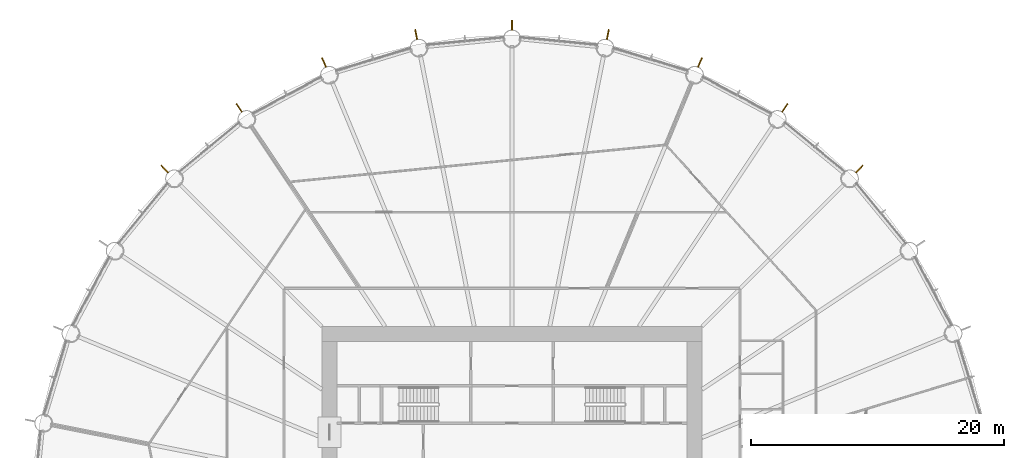
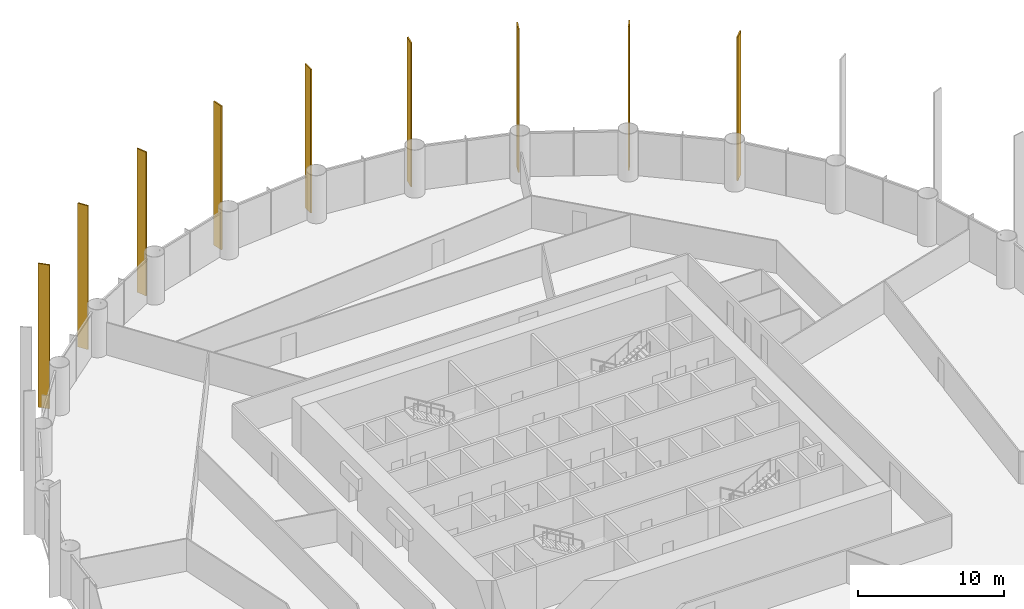
# One storey, part 14 of 14: 9 shading devices.
"""IFC4 building model written with IfcOpenShell, lengths in metres."""

from ifc_helpers import new_model, si_unit, direction, frame, origin, origin_2d, place, context, subcontext, project, spatial, rectangle, extrude, material, material_profile, profile_set, type_object, element, save


model = new_model("IFC4")

# Units and contexts
model_context = context("Model", 3, precision=1e-05, world=origin(), true_north=direction((0.0, 1.0)))
body_context = subcontext(model_context, "Body", "Model", "MODEL_VIEW")
ifc_project = project(units=[si_unit("LENGTHUNIT", "METRE"), si_unit("AREAUNIT", "SQUARE_METRE"), si_unit("VOLUMEUNIT", "CUBIC_METRE"), si_unit("PLANEANGLEUNIT", "RADIAN"), si_unit("MASSUNIT", "GRAM", prefix="KILO")], contexts=[model_context])

# Site, building, storey
site_placement = place(None, origin())
site = spatial("IfcSite", under=ifc_project, at=site_placement, CompositionType="ELEMENT")
building_placement = place(site_placement, origin())
building = spatial("IfcBuilding", under=site, at=building_placement, Name="Corvane Civic Tower", CompositionType="ELEMENT")
storey_placement = place(building_placement, frame((0.0, 0.0, 53.0)))
storey = spatial("IfcBuildingStorey", under=building, at=storey_placement, Name="L11", CompositionType="ELEMENT", Elevation=53.0)

# Shading devices
ifc_material = material(Name="Anodised aluminium bronze", Category="aluminium")
ifc_material_profile = material_profile(ifc_material, rectangle(XDim=0.10009765625, YDim=0.800048828125, at=origin_2d()), Name="TOWER FIN STACK 100x800 BRONZE")
ifc_profile_set = profile_set([ifc_material_profile], Name="Anodised aluminium bronze")
shading_device_type = type_object("IfcShadingDeviceType", Name="TOWER FIN STACK 100x800 BRONZE", PredefinedType="USERDEFINED", material=ifc_profile_set)
for number, where, z_axis, x_axis, name in (
    (1, (0.0, 38.780029296875, 0.0), (0.0, 0.0, 1.0), (1.0, 0.0, 0.0), "Fin 01 L11 to L13"),
    (2, (7.565673828125, 38.034912109375, 0.0), (0.0, 0.0, 1.0), (0.980785280403, -0.195090322016, 0.0), "Fin 02 L11 to L13"),
    (3, (14.840576171875, 35.828125, 0.0), (0.0, 0.0, 1.0), (0.923879532511, -0.382683432365, 0.0), "Fin 03 L11 to L13"),
    (4, (21.544921875, 32.244384765625, 0.0), (0.0, 0.0, 1.0), (0.831469612303, -0.55557023302, 0.0), "Fin 04 L11 to L13"),
    (5, (27.421630859375, 27.421630859375, 0.0), (0.0, 0.0, 1.0), (0.707106781187, -0.707106781187, 0.0), "Fin 05 L11 to L13"),
    (6, (-27.421630859375, 27.421630859375, 0.0), (0.0, 0.0, 1.0), (0.707106781187, 0.707106781187, 0.0), "Fin 29 L11 to L13"),
    (7, (-21.544921875, 32.244384765625, 0.0), (0.0, 0.0, 1.0), (0.831469612303, 0.55557023302, 0.0), "Fin 30 L11 to L13"),
    (8, (-14.840576171875, 35.828125, 0.0), (0.0, 0.0, 1.0), (0.923879532511, 0.382683432365, 0.0), "Fin 31 L11 to L13"),
    (9, (-7.565673828125, 38.034912109375, 0.0), (0.0, 0.0, 1.0), (0.980785280403, 0.195090322016, 0.0), "Fin 32 L11 to L13"),
):
    element("IfcShadingDevice", number, at=place(storey_placement, frame(where, z_axis=z_axis, x_axis=x_axis)), inside=storey, type_object=shading_device_type, Name=name, ObjectType="FIN", PredefinedType="USERDEFINED", context=body_context, shape_type="SweptSolid", body=[
        extrude(rectangle(XDim=0.10009765625, YDim=0.800048828125, at=origin_2d()), origin(), (0.0, 0.0, 1.0), 12.0),
    ])

save(model, "model.ifc")
